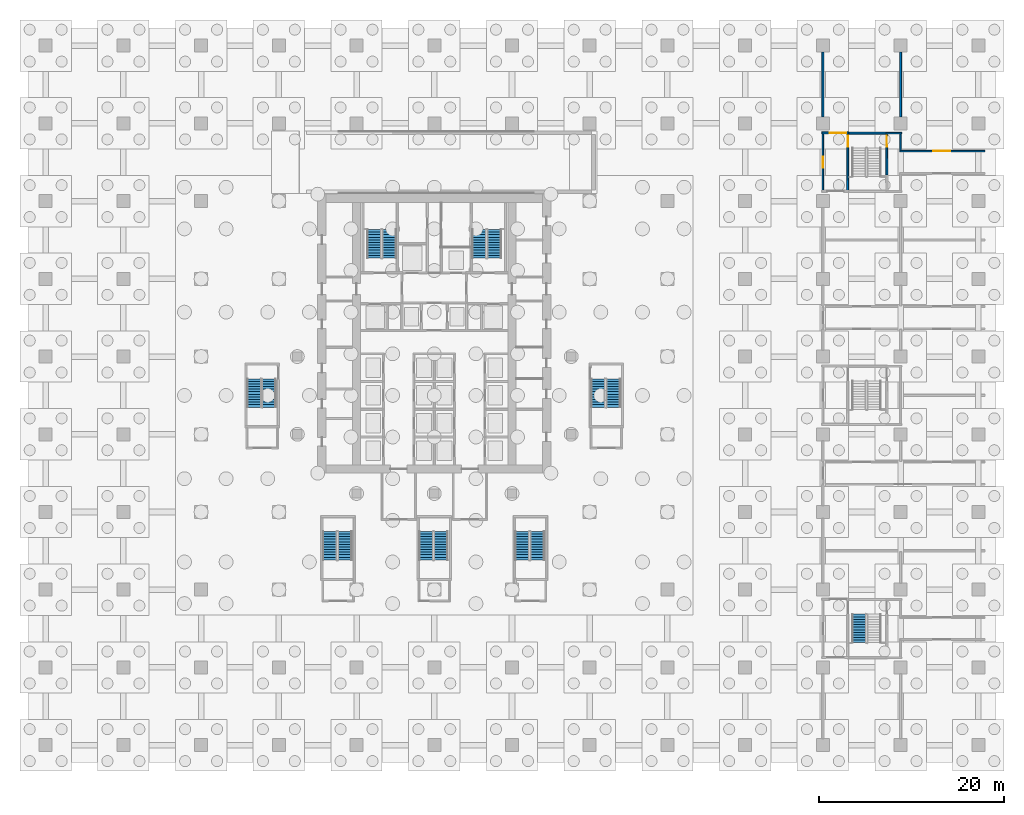
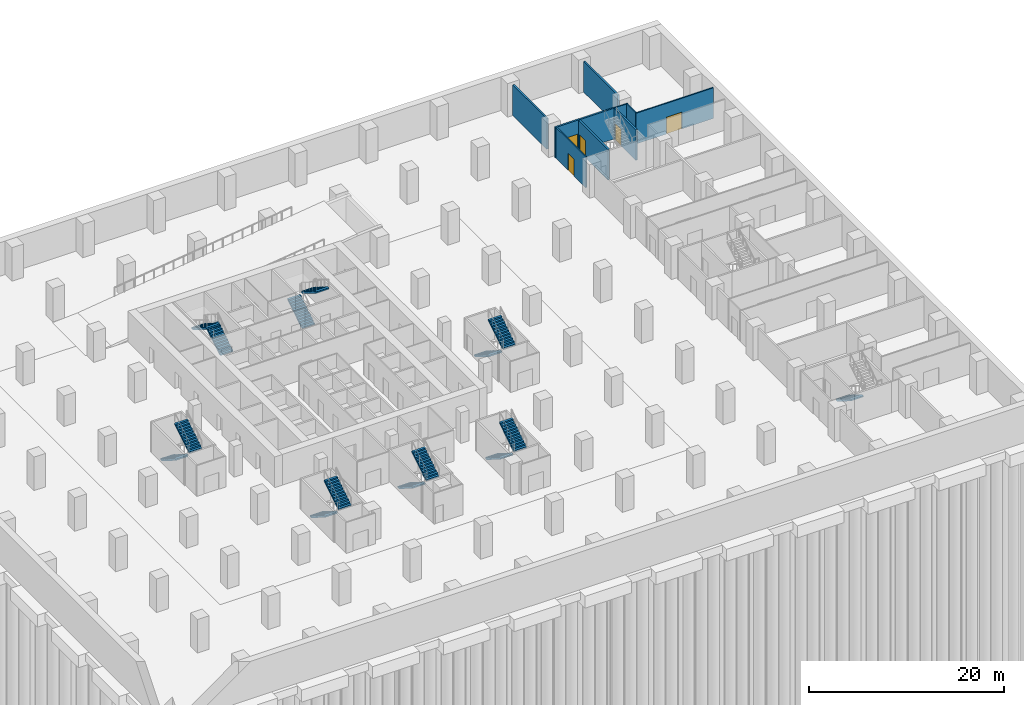
# One storey, part 15 of 22: 15 stair flights, 10 walls, 5 doors, 5 openings, 8 elements without a shape of their own.
"""IFC4 building model written with IfcOpenShell, lengths in metres."""

from ifc_helpers import new_model, si_unit, direction, frame, frame_2d, origin, place, context, subcontext, project, spatial, polyline, rectangle, outline, extrude, material, layer, layer_set, type_object, element, fill, aggregate, save


model = new_model("IFC4")

# Units and contexts
model_context = context("Model", 3, precision=1e-05, world=origin(), true_north=direction((0.0, 1.0)))
body_context = subcontext(model_context, "Body", "Model", "MODEL_VIEW")
ifc_project = project(units=[si_unit("LENGTHUNIT", "METRE"), si_unit("AREAUNIT", "SQUARE_METRE"), si_unit("VOLUMEUNIT", "CUBIC_METRE"), si_unit("PLANEANGLEUNIT", "RADIAN"), si_unit("MASSUNIT", "GRAM", prefix="KILO")], contexts=[model_context])

# Site, building, storey
site_placement = place(None, origin())
site = spatial("IfcSite", under=ifc_project, at=site_placement, CompositionType="ELEMENT")
building_placement = place(site_placement, origin())
building = spatial("IfcBuilding", under=site, at=building_placement, Name="Vermilion Ogive Tower", CompositionType="ELEMENT")
storey_placement = place(building_placement, frame((0.0, 0.0, -8.39990234375)))
storey = spatial("IfcBuildingStorey", under=building, at=storey_placement, Name="B2", CompositionType="ELEMENT", Elevation=-8.39990234375)

# Wall, opening, door
ifc_material_1 = material(Name="Gypsum board partition on steel studs", Category="steel")
ifc_layer_1 = layer(ifc_material_1, 0.14990234375)
ifc_layer_set_1 = layer_set([ifc_layer_1], Name="Partition 150 corridor")
wall_type_1 = type_object("IfcWallType", Name="Partition 150 corridor", PredefinedType="PARTITIONING", material=ifc_layer_set_1)
wall_1_placement = place(storey_placement, frame((50.324951171875, 26.39990234375, 0.0), z_axis=(0.0, 0.0, 1.0), x_axis=(1.0, 0.0, 0.0)))
wall_1 = element("IfcWall", 1, at=wall_1_placement, inside=storey, type_object=wall_type_1, Name="B2-PK-W-W033", PredefinedType="PARTITIONING", context=body_context, shape_type="SweptSolid", body=[
    extrude(rectangle(XDim=9.174072265625, YDim=0.14990234375, at=frame_2d((4.5869140625, 0.0))), origin(), (0.0, 0.0, 1.0), 3.849853515625),
])
opening_1_placement = place(wall_1_placement, frame((3.625, 0.0, 0.0)))
opening_1 = element("IfcOpeningElement", 2, at=opening_1_placement, cuts=wall_1, Name="Opening PK2-29", PredefinedType="OPENING", context=body_context, shape_type="SweptSolid", body=[
    extrude(rectangle(XDim=1.800048828125, YDim=2.10009765625, at=frame_2d((0.89990234375, 1.050048828125))), frame((0.0, 0.0849609375, 0.0), z_axis=(0.0, -1.0, 0.0), x_axis=(1.0, 0.0, 0.0)), (0.0, 0.0, 1.0), 0.169921875),
])
ifc_material_2 = material(Name="Timber door leaf", Category="wood")
door_type_1 = type_object("IfcDoorType", Name="Plant door 1800 x 2100 FD30", OperationType="DOUBLE_DOOR_SINGLE_SWING", PredefinedType="DOOR", material=ifc_material_2)
door_1_placement = place(opening_1_placement, origin())
door_1 = element("IfcDoor", 3, at=door_1_placement, inside=storey, type_object=door_type_1, Name="B2-PK-D-D029", OperationType="DOUBLE_DOOR_SINGLE_SWING", OverallHeight=2.10009765625, OverallWidth=1.800048828125, PredefinedType="DOOR", context=body_context, shape_type="SweptSolid", body=[
    extrude(rectangle(XDim=1.800048828125, YDim=2.10009765625, at=frame_2d((0.89990234375, 1.050048828125))), frame((0.0, 0.02490234375, 0.0), z_axis=(0.0, -1.0, 0.0), x_axis=(1.0, 0.0, 0.0)), (0.0, 0.0, 1.0), 0.050048828125),
])
fill(opening_1, door_1)

# Wall
wall_2_placement = place(storey_placement, frame((48.824951171875, 28.35009765625, 0.0), z_axis=(0.0, 0.0, 1.0), x_axis=(1.0, 0.0, 0.0)))
element("IfcWall", 4, at=wall_2_placement, inside=storey, type_object=wall_type_1, Name="B2-PK-W-W036", PredefinedType="PARTITIONING", context=body_context, shape_type="SweptSolid", body=[
    extrude(rectangle(XDim=1.675048828125, YDim=0.14990234375, at=frame_2d((0.83740234375, 0.0))), origin(), (0.0, 0.0, 1.0), 3.849853515625),
])

# Wall, opening, door
wall_3_placement = place(storey_placement, frame((42.0, 22.125, 0.0), z_axis=(0.0, 0.0, 1.0), x_axis=(0.0, 1.0, 0.0)))
wall_3 = element("IfcWall", 5, at=wall_3_placement, inside=storey, type_object=wall_type_1, Name="B2-PK-W-W060", PredefinedType="PARTITIONING", context=body_context, shape_type="SweptSolid", body=[
    extrude(rectangle(XDim=6.14990234375, YDim=0.14990234375, at=frame_2d((3.074951171875, 0.0))), origin(), (0.0, 0.0, 1.0), 3.849853515625),
])
opening_2_placement = place(wall_3_placement, frame((2.47509765625, 0.0, 0.0)))
opening_2 = element("IfcOpeningElement", 6, at=opening_2_placement, cuts=wall_3, Name="Opening PK2-11", PredefinedType="OPENING", context=body_context, shape_type="SweptSolid", body=[
    extrude(rectangle(XDim=1.199951171875, YDim=2.10009765625, at=frame_2d((0.60009765625, 1.050048828125))), frame((0.0, 0.0849609375, 0.0), z_axis=(0.0, -1.0, 0.0), x_axis=(1.0, 0.0, 0.0)), (0.0, 0.0, 1.0), 0.169921875),
])
ifc_material_3 = material(Name="Timber door leaf", Category="wood")
door_type_2 = type_object("IfcDoorType", Name="Stair door 1200 x 2100 FD60S", OperationType="SINGLE_SWING_LEFT", PredefinedType="DOOR", material=ifc_material_3)
door_2_placement = place(opening_2_placement, origin())
door_2 = element("IfcDoor", 7, at=door_2_placement, inside=storey, type_object=door_type_2, Name="B2-PK-D-D011", OperationType="DOUBLE_DOOR_SINGLE_SWING", OverallHeight=2.10009765625, OverallWidth=1.199951171875, PredefinedType="DOOR", context=body_context, shape_type="SweptSolid", body=[
    extrude(rectangle(XDim=1.199951171875, YDim=2.10009765625, at=frame_2d((0.60009765625, 1.050048828125))), frame((0.0, 0.02490234375, 0.0), z_axis=(0.0, -1.0, 0.0), x_axis=(1.0, 0.0, 0.0)), (0.0, 0.0, 1.0), 0.050048828125),
])
fill(opening_2, door_2)

# Walls
wall_4_placement = place(storey_placement, frame((50.39990234375, 26.47509765625, 0.0), z_axis=(0.0, 0.0, 1.0), x_axis=(0.0, 1.0, 0.0)))
element("IfcWall", 8, at=wall_4_placement, inside=storey, type_object=wall_type_1, Name="B2-PK-W-W077", PredefinedType="PARTITIONING", context=body_context, shape_type="SweptSolid", body=[
    extrude(rectangle(XDim=1.7998046875, YDim=0.14990234375, at=frame_2d((0.89990234375, 0.0))), origin(), (0.0, 0.0, 1.0), 3.849853515625),
])
ifc_material_4 = material(Name="Gypsum board partition on steel studs", Category="steel")
ifc_layer_2 = layer(ifc_material_4, 0.199951171875)
ifc_layer_set_2 = layer_set([ifc_layer_2], Name="Partition 200 party")
wall_type_2 = type_object("IfcWallType", Name="Partition 200 party", PredefinedType="PARTITIONING", material=ifc_layer_set_2)
for number, where, z_axis, x_axis, name in (
    (9, (42.0, 30.10009765625, 0.0), (0.0, 0.0, 1.0), (0.0, 1.0, 0.0), "B2-PK-W-W061a"),
    (10, (50.39990234375, 30.10009765625, 0.0), (0.0, 0.0, 1.0), (0.0, 1.0, 0.0), "B2-PK-W-W078a"),
):
    element("IfcWall", number, at=place(storey_placement, frame(where, z_axis=z_axis, x_axis=x_axis)), inside=storey, type_object=wall_type_2, Name=name, PredefinedType="PARTITIONING", context=body_context, shape_type="SweptSolid", body=[
        extrude(rectangle(XDim=7.0, YDim=0.199951171875, at=frame_2d((3.5, 0.0))), origin(), (0.0, 0.0, 1.0), 3.849853515625),
    ])

# Wall, opening, door
ifc_material_5 = material(Name="Concrete B60", Category="concrete")
ifc_layer_3 = layer(ifc_material_5, 0.199951171875)
ifc_layer_set_3 = layer_set([ifc_layer_3], Name="Stair shaft wall 200 Concrete B60")
wall_type_3 = type_object("IfcWallType", Name="Stair shaft wall 200 Concrete B60", PredefinedType="SOLIDWALL", material=ifc_layer_set_3)
wall_5_placement = place(storey_placement, frame((41.89990234375, 28.375, 0.0), z_axis=(0.0, 0.0, 1.0), x_axis=(1.0, 0.0, 0.0)))
wall_5 = element("IfcWall", 11, at=wall_5_placement, inside=storey, type_object=wall_type_3, Name="B2-PK-W-W034", PredefinedType="SOLIDWALL", context=body_context, shape_type="SweptSolid", body=[
    extrude(rectangle(XDim=2.875, YDim=0.199951171875, at=frame_2d((1.4375, 0.0))), origin(), (0.0, 0.0, 1.0), 3.849853515625),
])
opening_3_placement = place(wall_5_placement, frame((0.85009765625, 0.0, 0.0)))
opening_3 = element("IfcOpeningElement", 12, at=opening_3_placement, cuts=wall_5, Name="Opening PK2-30", PredefinedType="OPENING", context=body_context, shape_type="SweptSolid", body=[
    extrude(rectangle(XDim=1.800048828125, YDim=2.10009765625, at=frame_2d((0.89990234375, 1.050048828125))), frame((0.0, 0.10986328125, 0.0), z_axis=(0.0, -1.0, 0.0), x_axis=(1.0, 0.0, 0.0)), (0.0, 0.0, 1.0), 0.219970703125),
])
door_3_placement = place(opening_3_placement, origin())
door_3 = element("IfcDoor", 13, at=door_3_placement, inside=storey, type_object=door_type_1, Name="B2-PK-D-D030", OperationType="DOUBLE_DOOR_SINGLE_SWING", OverallHeight=2.10009765625, OverallWidth=1.800048828125, PredefinedType="DOOR", context=body_context, shape_type="SweptSolid", body=[
    extrude(rectangle(XDim=1.800048828125, YDim=2.10009765625, at=frame_2d((0.89990234375, 1.050048828125))), frame((0.0, 0.02490234375, 0.0), z_axis=(0.0, -1.0, 0.0), x_axis=(1.0, 0.0, 0.0)), (0.0, 0.0, 1.0), 0.050048828125),
])
fill(opening_3, door_3)

# Wall
wall_6_placement = place(storey_placement, frame((44.625, 28.35009765625, 0.0), z_axis=(0.0, 0.0, 1.0), x_axis=(1.0, 0.0, 0.0)))
element("IfcWall", 14, at=wall_6_placement, inside=storey, type_object=wall_type_3, Name="B2-PK-W-W035", PredefinedType="SOLIDWALL", context=body_context, shape_type="SweptSolid", body=[
    extrude(rectangle(XDim=4.35009765625, YDim=0.199951171875, at=frame_2d((2.175048828125, 0.0))), origin(), (0.0, 0.0, 1.0), 3.849853515625),
])

# Wall, opening, door
wall_7_placement = place(storey_placement, frame((44.675048828125, 22.14990234375, 0.0), z_axis=(0.0, 0.0, 1.0), x_axis=(0.004098985015, 0.999991599126, 0.0)))
wall_7 = element("IfcWall", 15, at=wall_7_placement, inside=storey, type_object=wall_type_3, Name="B2-PK-W-W064", PredefinedType="SOLIDWALL", context=body_context, shape_type="SweptSolid", body=[
    extrude(rectangle(XDim=6.0751953125, YDim=0.199951171875, at=frame_2d((3.03759765625, 0.0))), origin(), (0.0, 0.0, 1.0), 3.849853515625),
])
opening_4_placement = place(wall_7_placement, frame((4.7001953125, 0.0, 0.0)))
opening_4 = element("IfcOpeningElement", 16, at=opening_4_placement, cuts=wall_7, Name="Opening PK2-12", PredefinedType="OPENING", context=body_context, shape_type="SweptSolid", body=[
    extrude(rectangle(XDim=1.199951171875, YDim=2.10009765625, at=frame_2d((0.60009765625, 1.050048828125))), frame((0.0, 0.10986328125, 0.0), z_axis=(0.0, -1.0, 0.0), x_axis=(1.0, 0.0, 0.0)), (0.0, 0.0, 1.0), 0.219970703125),
])
door_4_placement = place(opening_4_placement, origin())
door_4 = element("IfcDoor", 17, at=door_4_placement, inside=storey, type_object=door_type_2, Name="B2-PK-D-D012", OperationType="DOUBLE_DOOR_SINGLE_SWING", OverallHeight=2.10009765625, OverallWidth=1.199951171875, PredefinedType="DOOR", context=body_context, shape_type="SweptSolid", body=[
    extrude(rectangle(XDim=1.199951171875, YDim=2.10009765625, at=frame_2d((0.60009765625, 1.050048828125))), frame((0.0, 0.02490234375, 0.0), z_axis=(0.0, -1.0, 0.0), x_axis=(1.0, 0.0, 0.0)), (0.0, 0.0, 1.0), 0.050048828125),
])
fill(opening_4, door_4)

wall_8_placement = place(storey_placement, frame((48.918212890625, 23.7998046875, 0.0), z_axis=(0.0, 0.0, 1.0), x_axis=(-0.004091618778, 0.999991629293, 0.0)))
wall_8 = element("IfcWall", 18, at=wall_8_placement, inside=storey, type_object=wall_type_3, Name="B2-PK-W-W067", PredefinedType="SOLIDWALL", context=body_context, shape_type="SweptSolid", body=[
    extrude(rectangle(XDim=4.47509765625, YDim=0.199951171875, at=frame_2d((2.237548828125, 0.0))), origin(), (0.0, 0.0, 1.0), 3.849853515625),
])
opening_5_placement = place(wall_8_placement, frame((3.05029296875, 0.0, 0.0)))
opening_5 = element("IfcOpeningElement", 19, at=opening_5_placement, cuts=wall_8, Name="Opening PK2-13", PredefinedType="OPENING", context=body_context, shape_type="SweptSolid", body=[
    extrude(rectangle(XDim=1.199951171875, YDim=2.10009765625, at=frame_2d((0.60009765625, 1.050048828125))), frame((0.0, 0.10986328125, 0.0), z_axis=(0.0, -1.0, 0.0), x_axis=(1.0, 0.0, 0.0)), (0.0, 0.0, 1.0), 0.219970703125),
])
door_5_placement = place(opening_5_placement, origin())
door_5 = element("IfcDoor", 20, at=door_5_placement, inside=storey, type_object=door_type_2, Name="B2-PK-D-D013", OperationType="DOUBLE_DOOR_SINGLE_SWING", OverallHeight=2.10009765625, OverallWidth=1.199951171875, PredefinedType="DOOR", context=body_context, shape_type="SweptSolid", body=[
    extrude(rectangle(XDim=1.199951171875, YDim=2.10009765625, at=frame_2d((0.60009765625, 1.050048828125))), frame((0.0, 0.02490234375, 0.0), z_axis=(0.0, -1.0, 0.0), x_axis=(1.0, 0.0, 0.0)), (0.0, 0.0, 1.0), 0.050048828125),
])
fill(opening_5, door_5)

# Stair, stair flights
ifc_material_6 = material(Name="Concrete B40", Category="concrete")
stair_type = type_object("IfcStairType", Name="Exit stair 1500", PredefinedType="HALF_TURN_STAIR", material=ifc_material_6)
stair_1_placement = place(storey_placement, origin())
stair_1 = element("IfcStair", 21, at=stair_1_placement, inside=storey, type_object=stair_type, Name="B2 Exit Stair ST1", PredefinedType="HALF_TURN_STAIR")
ifc_material_7 = material(Name="Concrete B40", Category="concrete")
stair_flight_type = type_object("IfcStairFlightType", Name="Stair flight 1500", PredefinedType="STRAIGHT", material=ifc_material_7)
stair_flight_1_placement = place(storey_placement, frame((-4.85009765625, 14.85009765625, 0.0), z_axis=(0.0, 0.0, 1.0), x_axis=(0.0, 1.0, 0.0)))
stair_flight_1 = element("IfcStairFlight", 22, at=stair_flight_1_placement, type_object=stair_flight_type, Name="ST1 flight 1", NumberOfRisers=12, NumberOfTreads=11, PredefinedType="STRAIGHT", RiserHeight=0.175, TreadLength=0.28, context=body_context, shape_type="SweptSolid", body=[
    extrude(outline(polyline([(0.0, 0.0), (0.0, 0.175048828125), (0.280029296875, 0.175048828125), (0.280029296875, 0.35009765625), (0.56005859375, 0.35009765625), (0.56005859375, 0.52490234375), (0.840087890625, 0.52490234375), (0.840087890625, 0.699951171875), (1.1201171875, 0.699951171875), (1.1201171875, 0.875), (1.39990234375, 0.875), (1.39990234375, 1.050048828125), (1.679931640625, 1.050048828125), (1.679931640625, 1.22509765625), (1.9599609375, 1.22509765625), (1.9599609375, 1.39990234375), (2.239990234375, 1.39990234375), (2.239990234375, 1.574951171875), (2.52001953125, 1.574951171875), (2.52001953125, 1.75), (2.800048828125, 1.75), (2.800048828125, 1.925048828125), (3.080078125, 1.925048828125), (3.080078125, 2.10009765625), (3.080078125, 1.748291015625), (0.28271484375, 0.0), (0.0, 0.0)])), frame((0.0, 0.75, 0.0), z_axis=(0.0, -1.0, 0.0), x_axis=(1.0, 0.0, 0.0)), (0.0, 0.0, 1.0), 1.5),
])
stair_flight_2_placement = place(storey_placement, frame((-6.5, 17.929931640625, 2.099853515625), z_axis=(0.0, 0.0, 1.0), x_axis=(0.0, -1.0, 0.0)))
stair_flight_2 = element("IfcStairFlight", 23, at=stair_flight_2_placement, type_object=stair_flight_type, Name="ST1 flight 2", NumberOfRisers=12, NumberOfTreads=11, PredefinedType="STRAIGHT", RiserHeight=0.175, TreadLength=0.28, context=body_context, shape_type="SweptSolid", body=[
    extrude(outline(polyline([(0.0, 0.0), (0.0, 0.175048828125), (0.280029296875, 0.175048828125), (0.280029296875, 0.35009765625), (0.56005859375, 0.35009765625), (0.56005859375, 0.52490234375), (0.840087890625, 0.52490234375), (0.840087890625, 0.699951171875), (1.1201171875, 0.699951171875), (1.1201171875, 0.875), (1.39990234375, 0.875), (1.39990234375, 1.050048828125), (1.679931640625, 1.050048828125), (1.679931640625, 1.22509765625), (1.9599609375, 1.22509765625), (1.9599609375, 1.39990234375), (2.239990234375, 1.39990234375), (2.239990234375, 1.574951171875), (2.52001953125, 1.574951171875), (2.52001953125, 1.75), (2.800048828125, 1.75), (2.800048828125, 1.925048828125), (3.080078125, 1.925048828125), (3.080078125, 2.10009765625), (3.080078125, 1.748291015625), (0.28271484375, 0.0), (0.0, 0.0)])), frame((0.0, 0.75, 0.0), z_axis=(0.0, -1.0, 0.0), x_axis=(1.0, 0.0, 0.0)), (0.0, 0.0, 1.0), 1.5),
])
aggregate(stair_1, [stair_flight_1, stair_flight_2])

stair_2_placement = place(storey_placement, origin())
stair_2 = element("IfcStair", 24, at=stair_2_placement, inside=storey, type_object=stair_type, Name="B2 Exit Stair ST2", PredefinedType="HALF_TURN_STAIR")
stair_flight_3_placement = place(storey_placement, frame((4.85009765625, 14.85009765625, 0.0), z_axis=(0.0, 0.0, 1.0), x_axis=(0.0, 1.0, 0.0)))
stair_flight_3 = element("IfcStairFlight", 25, at=stair_flight_3_placement, type_object=stair_flight_type, Name="ST2 flight 1", NumberOfRisers=12, NumberOfTreads=11, PredefinedType="STRAIGHT", RiserHeight=0.175, TreadLength=0.28, context=body_context, shape_type="SweptSolid", body=[
    extrude(outline(polyline([(0.0, 0.0), (0.0, 0.175048828125), (0.280029296875, 0.175048828125), (0.280029296875, 0.35009765625), (0.56005859375, 0.35009765625), (0.56005859375, 0.52490234375), (0.840087890625, 0.52490234375), (0.840087890625, 0.699951171875), (1.1201171875, 0.699951171875), (1.1201171875, 0.875), (1.39990234375, 0.875), (1.39990234375, 1.050048828125), (1.679931640625, 1.050048828125), (1.679931640625, 1.22509765625), (1.9599609375, 1.22509765625), (1.9599609375, 1.39990234375), (2.239990234375, 1.39990234375), (2.239990234375, 1.574951171875), (2.52001953125, 1.574951171875), (2.52001953125, 1.75), (2.800048828125, 1.75), (2.800048828125, 1.925048828125), (3.080078125, 1.925048828125), (3.080078125, 2.10009765625), (3.080078125, 1.748291015625), (0.28271484375, 0.0), (0.0, 0.0)])), frame((0.0, 0.75, 0.0), z_axis=(0.0, -1.0, 0.0), x_axis=(1.0, 0.0, 0.0)), (0.0, 0.0, 1.0), 1.5),
])
stair_flight_4_placement = place(storey_placement, frame((6.5, 17.929931640625, 2.099853515625), z_axis=(0.0, 0.0, 1.0), x_axis=(0.0, -1.0, 0.0)))
stair_flight_4 = element("IfcStairFlight", 26, at=stair_flight_4_placement, type_object=stair_flight_type, Name="ST2 flight 2", NumberOfRisers=12, NumberOfTreads=11, PredefinedType="STRAIGHT", RiserHeight=0.175, TreadLength=0.28, context=body_context, shape_type="SweptSolid", body=[
    extrude(outline(polyline([(0.0, 0.0), (0.0, 0.175048828125), (0.280029296875, 0.175048828125), (0.280029296875, 0.35009765625), (0.56005859375, 0.35009765625), (0.56005859375, 0.52490234375), (0.840087890625, 0.52490234375), (0.840087890625, 0.699951171875), (1.1201171875, 0.699951171875), (1.1201171875, 0.875), (1.39990234375, 0.875), (1.39990234375, 1.050048828125), (1.679931640625, 1.050048828125), (1.679931640625, 1.22509765625), (1.9599609375, 1.22509765625), (1.9599609375, 1.39990234375), (2.239990234375, 1.39990234375), (2.239990234375, 1.574951171875), (2.52001953125, 1.574951171875), (2.52001953125, 1.75), (2.800048828125, 1.75), (2.800048828125, 1.925048828125), (3.080078125, 1.925048828125), (3.080078125, 2.10009765625), (3.080078125, 1.748291015625), (0.28271484375, 0.0), (0.0, 0.0)])), frame((0.0, 0.75, 0.0), z_axis=(0.0, -1.0, 0.0), x_axis=(1.0, 0.0, 0.0)), (0.0, 0.0, 1.0), 1.5),
])
aggregate(stair_2, [stair_flight_3, stair_flight_4])

stair_3_placement = place(storey_placement, origin())
stair_3 = element("IfcStair", 27, at=stair_3_placement, inside=storey, type_object=stair_type, Name="B2 Exit Stair ST3", PredefinedType="HALF_TURN_STAIR")
stair_flight_5_placement = place(storey_placement, frame((-11.300048828125, -14.699951171875, 0.0), z_axis=(0.0, 0.0, 1.0), x_axis=(0.0, -1.0, 0.0)))
stair_flight_5 = element("IfcStairFlight", 28, at=stair_flight_5_placement, type_object=stair_flight_type, Name="ST3 flight 1", NumberOfRisers=12, NumberOfTreads=11, PredefinedType="STRAIGHT", RiserHeight=0.175, TreadLength=0.28, context=body_context, shape_type="SweptSolid", body=[
    extrude(outline(polyline([(0.0, 0.0), (0.0, 0.175048828125), (0.280029296875, 0.175048828125), (0.280029296875, 0.35009765625), (0.56005859375, 0.35009765625), (0.56005859375, 0.52490234375), (0.840087890625, 0.52490234375), (0.840087890625, 0.699951171875), (1.1201171875, 0.699951171875), (1.1201171875, 0.875), (1.39990234375, 0.875), (1.39990234375, 1.050048828125), (1.679931640625, 1.050048828125), (1.679931640625, 1.22509765625), (1.9599609375, 1.22509765625), (1.9599609375, 1.39990234375), (2.239990234375, 1.39990234375), (2.239990234375, 1.574951171875), (2.52001953125, 1.574951171875), (2.52001953125, 1.75), (2.800048828125, 1.75), (2.800048828125, 1.925048828125), (3.080078125, 1.925048828125), (3.080078125, 2.10009765625), (3.080078125, 1.748291015625), (0.28271484375, 0.0), (0.0, 0.0)])), frame((0.0, 0.75, 0.0), z_axis=(0.0, -1.0, 0.0), x_axis=(1.0, 0.0, 0.0)), (0.0, 0.0, 1.0), 1.5),
])
stair_flight_6_placement = place(storey_placement, frame((-9.64990234375, -17.780029296875, 2.099853515625), z_axis=(0.0, 0.0, 1.0), x_axis=(0.0, 1.0, 0.0)))
stair_flight_6 = element("IfcStairFlight", 29, at=stair_flight_6_placement, type_object=stair_flight_type, Name="ST3 flight 2", NumberOfRisers=12, NumberOfTreads=11, PredefinedType="STRAIGHT", RiserHeight=0.175, TreadLength=0.28, context=body_context, shape_type="SweptSolid", body=[
    extrude(outline(polyline([(0.0, 0.0), (0.0, 0.175048828125), (0.280029296875, 0.175048828125), (0.280029296875, 0.35009765625), (0.56005859375, 0.35009765625), (0.56005859375, 0.52490234375), (0.840087890625, 0.52490234375), (0.840087890625, 0.699951171875), (1.1201171875, 0.699951171875), (1.1201171875, 0.875), (1.39990234375, 0.875), (1.39990234375, 1.050048828125), (1.679931640625, 1.050048828125), (1.679931640625, 1.22509765625), (1.9599609375, 1.22509765625), (1.9599609375, 1.39990234375), (2.239990234375, 1.39990234375), (2.239990234375, 1.574951171875), (2.52001953125, 1.574951171875), (2.52001953125, 1.75), (2.800048828125, 1.75), (2.800048828125, 1.925048828125), (3.080078125, 1.925048828125), (3.080078125, 2.10009765625), (3.080078125, 1.748291015625), (0.28271484375, 0.0), (0.0, 0.0)])), frame((0.0, 0.75, 0.0), z_axis=(0.0, -1.0, 0.0), x_axis=(1.0, 0.0, 0.0)), (0.0, 0.0, 1.0), 1.5),
])
aggregate(stair_3, [stair_flight_5, stair_flight_6])

stair_4_placement = place(storey_placement, origin())
stair_4 = element("IfcStair", 30, at=stair_4_placement, inside=storey, type_object=stair_type, Name="B2 Exit Stair ST4", PredefinedType="HALF_TURN_STAIR")
stair_flight_7_placement = place(storey_placement, frame((-0.89990234375, -14.699951171875, 0.0), z_axis=(0.0, 0.0, 1.0), x_axis=(0.0, -1.0, 0.0)))
stair_flight_7 = element("IfcStairFlight", 31, at=stair_flight_7_placement, type_object=stair_flight_type, Name="ST4 flight 1", NumberOfRisers=12, NumberOfTreads=11, PredefinedType="STRAIGHT", RiserHeight=0.175, TreadLength=0.28, context=body_context, shape_type="SweptSolid", body=[
    extrude(outline(polyline([(0.0, 0.0), (0.0, 0.175048828125), (0.280029296875, 0.175048828125), (0.280029296875, 0.35009765625), (0.56005859375, 0.35009765625), (0.56005859375, 0.52490234375), (0.840087890625, 0.52490234375), (0.840087890625, 0.699951171875), (1.1201171875, 0.699951171875), (1.1201171875, 0.875), (1.39990234375, 0.875), (1.39990234375, 1.050048828125), (1.679931640625, 1.050048828125), (1.679931640625, 1.22509765625), (1.9599609375, 1.22509765625), (1.9599609375, 1.39990234375), (2.239990234375, 1.39990234375), (2.239990234375, 1.574951171875), (2.52001953125, 1.574951171875), (2.52001953125, 1.75), (2.800048828125, 1.75), (2.800048828125, 1.925048828125), (3.080078125, 1.925048828125), (3.080078125, 2.10009765625), (3.080078125, 1.748291015625), (0.28271484375, 0.0), (0.0, 0.0)])), frame((0.0, 0.75, 0.0), z_axis=(0.0, -1.0, 0.0), x_axis=(1.0, 0.0, 0.0)), (0.0, 0.0, 1.0), 1.5),
])
stair_flight_8_placement = place(storey_placement, frame((0.75, -17.780029296875, 2.099853515625), z_axis=(0.0, 0.0, 1.0), x_axis=(0.0, 1.0, 0.0)))
stair_flight_8 = element("IfcStairFlight", 32, at=stair_flight_8_placement, type_object=stair_flight_type, Name="ST4 flight 2", NumberOfRisers=12, NumberOfTreads=11, PredefinedType="STRAIGHT", RiserHeight=0.175, TreadLength=0.28, context=body_context, shape_type="SweptSolid", body=[
    extrude(outline(polyline([(0.0, 0.0), (0.0, 0.175048828125), (0.280029296875, 0.175048828125), (0.280029296875, 0.35009765625), (0.56005859375, 0.35009765625), (0.56005859375, 0.52490234375), (0.840087890625, 0.52490234375), (0.840087890625, 0.699951171875), (1.1201171875, 0.699951171875), (1.1201171875, 0.875), (1.39990234375, 0.875), (1.39990234375, 1.050048828125), (1.679931640625, 1.050048828125), (1.679931640625, 1.22509765625), (1.9599609375, 1.22509765625), (1.9599609375, 1.39990234375), (2.239990234375, 1.39990234375), (2.239990234375, 1.574951171875), (2.52001953125, 1.574951171875), (2.52001953125, 1.75), (2.800048828125, 1.75), (2.800048828125, 1.925048828125), (3.080078125, 1.925048828125), (3.080078125, 2.10009765625), (3.080078125, 1.748291015625), (0.28271484375, 0.0), (0.0, 0.0)])), frame((0.0, 0.75, 0.0), z_axis=(0.0, -1.0, 0.0), x_axis=(1.0, 0.0, 0.0)), (0.0, 0.0, 1.0), 1.5),
])
aggregate(stair_4, [stair_flight_7, stair_flight_8])

stair_5_placement = place(storey_placement, origin())
stair_5 = element("IfcStair", 33, at=stair_5_placement, inside=storey, type_object=stair_type, Name="B2 Exit Stair ST5", PredefinedType="HALF_TURN_STAIR")
stair_flight_9_placement = place(storey_placement, frame((9.5, -14.699951171875, 0.0), z_axis=(0.0, 0.0, 1.0), x_axis=(0.0, -1.0, 0.0)))
stair_flight_9 = element("IfcStairFlight", 34, at=stair_flight_9_placement, type_object=stair_flight_type, Name="ST5 flight 1", NumberOfRisers=12, NumberOfTreads=11, PredefinedType="STRAIGHT", RiserHeight=0.175, TreadLength=0.28, context=body_context, shape_type="SweptSolid", body=[
    extrude(outline(polyline([(0.0, 0.0), (0.0, 0.175048828125), (0.280029296875, 0.175048828125), (0.280029296875, 0.35009765625), (0.56005859375, 0.35009765625), (0.56005859375, 0.52490234375), (0.840087890625, 0.52490234375), (0.840087890625, 0.699951171875), (1.1201171875, 0.699951171875), (1.1201171875, 0.875), (1.39990234375, 0.875), (1.39990234375, 1.050048828125), (1.679931640625, 1.050048828125), (1.679931640625, 1.22509765625), (1.9599609375, 1.22509765625), (1.9599609375, 1.39990234375), (2.239990234375, 1.39990234375), (2.239990234375, 1.574951171875), (2.52001953125, 1.574951171875), (2.52001953125, 1.75), (2.800048828125, 1.75), (2.800048828125, 1.925048828125), (3.080078125, 1.925048828125), (3.080078125, 2.10009765625), (3.080078125, 1.748291015625), (0.28271484375, 0.0), (0.0, 0.0)])), frame((0.0, 0.75, 0.0), z_axis=(0.0, -1.0, 0.0), x_axis=(1.0, 0.0, 0.0)), (0.0, 0.0, 1.0), 1.5),
])
stair_flight_10_placement = place(storey_placement, frame((11.14990234375, -17.780029296875, 2.099853515625), z_axis=(0.0, 0.0, 1.0), x_axis=(0.0, 1.0, 0.0)))
stair_flight_10 = element("IfcStairFlight", 35, at=stair_flight_10_placement, type_object=stair_flight_type, Name="ST5 flight 2", NumberOfRisers=12, NumberOfTreads=11, PredefinedType="STRAIGHT", RiserHeight=0.175, TreadLength=0.28, context=body_context, shape_type="SweptSolid", body=[
    extrude(outline(polyline([(0.0, 0.0), (0.0, 0.175048828125), (0.280029296875, 0.175048828125), (0.280029296875, 0.35009765625), (0.56005859375, 0.35009765625), (0.56005859375, 0.52490234375), (0.840087890625, 0.52490234375), (0.840087890625, 0.699951171875), (1.1201171875, 0.699951171875), (1.1201171875, 0.875), (1.39990234375, 0.875), (1.39990234375, 1.050048828125), (1.679931640625, 1.050048828125), (1.679931640625, 1.22509765625), (1.9599609375, 1.22509765625), (1.9599609375, 1.39990234375), (2.239990234375, 1.39990234375), (2.239990234375, 1.574951171875), (2.52001953125, 1.574951171875), (2.52001953125, 1.75), (2.800048828125, 1.75), (2.800048828125, 1.925048828125), (3.080078125, 1.925048828125), (3.080078125, 2.10009765625), (3.080078125, 1.748291015625), (0.28271484375, 0.0), (0.0, 0.0)])), frame((0.0, 0.75, 0.0), z_axis=(0.0, -1.0, 0.0), x_axis=(1.0, 0.0, 0.0)), (0.0, 0.0, 1.0), 1.5),
])
aggregate(stair_5, [stair_flight_9, stair_flight_10])

stair_6_placement = place(storey_placement, origin())
stair_6 = element("IfcStair", 36, at=stair_6_placement, inside=storey, type_object=stair_type, Name="B2 Exit Stair ST8", PredefinedType="HALF_TURN_STAIR")
stair_flight_11_placement = place(storey_placement, frame((17.699951171875, 1.800048828125, 0.0), z_axis=(0.0, 0.0, 1.0), x_axis=(0.0, -1.0, 0.0)))
stair_flight_11 = element("IfcStairFlight", 37, at=stair_flight_11_placement, type_object=stair_flight_type, Name="ST8 flight 1", NumberOfRisers=12, NumberOfTreads=11, PredefinedType="STRAIGHT", RiserHeight=0.175, TreadLength=0.28, context=body_context, shape_type="SweptSolid", body=[
    extrude(outline(polyline([(0.0, 0.0), (0.0, 0.175048828125), (0.280029296875, 0.175048828125), (0.280029296875, 0.35009765625), (0.56005859375, 0.35009765625), (0.56005859375, 0.52490234375), (0.840087890625, 0.52490234375), (0.840087890625, 0.699951171875), (1.1201171875, 0.699951171875), (1.1201171875, 0.875), (1.39990234375, 0.875), (1.39990234375, 1.050048828125), (1.679931640625, 1.050048828125), (1.679931640625, 1.22509765625), (1.9599609375, 1.22509765625), (1.9599609375, 1.39990234375), (2.239990234375, 1.39990234375), (2.239990234375, 1.574951171875), (2.52001953125, 1.574951171875), (2.52001953125, 1.75), (2.800048828125, 1.75), (2.800048828125, 1.925048828125), (3.080078125, 1.925048828125), (3.080078125, 2.10009765625), (3.080078125, 1.748291015625), (0.28271484375, 0.0), (0.0, 0.0)])), frame((0.0, 0.75, 0.0), z_axis=(0.0, -1.0, 0.0), x_axis=(1.0, 0.0, 0.0)), (0.0, 0.0, 1.0), 1.5),
])
stair_flight_12_placement = place(storey_placement, frame((19.35009765625, -1.280029296875, 2.099853515625), z_axis=(0.0, 0.0, 1.0), x_axis=(0.0, 1.0, 0.0)))
stair_flight_12 = element("IfcStairFlight", 38, at=stair_flight_12_placement, type_object=stair_flight_type, Name="ST8 flight 2", NumberOfRisers=12, NumberOfTreads=11, PredefinedType="STRAIGHT", RiserHeight=0.175, TreadLength=0.28, context=body_context, shape_type="SweptSolid", body=[
    extrude(outline(polyline([(0.0, 0.0), (0.0, 0.175048828125), (0.280029296875, 0.175048828125), (0.280029296875, 0.35009765625), (0.56005859375, 0.35009765625), (0.56005859375, 0.52490234375), (0.840087890625, 0.52490234375), (0.840087890625, 0.699951171875), (1.1201171875, 0.699951171875), (1.1201171875, 0.875), (1.39990234375, 0.875), (1.39990234375, 1.050048828125), (1.679931640625, 1.050048828125), (1.679931640625, 1.22509765625), (1.9599609375, 1.22509765625), (1.9599609375, 1.39990234375), (2.239990234375, 1.39990234375), (2.239990234375, 1.574951171875), (2.52001953125, 1.574951171875), (2.52001953125, 1.75), (2.800048828125, 1.75), (2.800048828125, 1.925048828125), (3.080078125, 1.925048828125), (3.080078125, 2.10009765625), (3.080078125, 1.748291015625), (0.28271484375, 0.0), (0.0, 0.0)])), frame((0.0, 0.75, 0.0), z_axis=(0.0, -1.0, 0.0), x_axis=(1.0, 0.0, 0.0)), (0.0, 0.0, 1.0), 1.5),
])
aggregate(stair_6, [stair_flight_11, stair_flight_12])

stair_7_placement = place(storey_placement, origin())
stair_7 = element("IfcStair", 39, at=stair_7_placement, inside=storey, type_object=stair_type, Name="B2 Exit Stair ST9", PredefinedType="HALF_TURN_STAIR")
stair_flight_13_placement = place(storey_placement, frame((-19.5, 1.800048828125, 0.0), z_axis=(0.0, 0.0, 1.0), x_axis=(0.0, -1.0, 0.0)))
stair_flight_13 = element("IfcStairFlight", 40, at=stair_flight_13_placement, type_object=stair_flight_type, Name="ST9 flight 1", NumberOfRisers=12, NumberOfTreads=11, PredefinedType="STRAIGHT", RiserHeight=0.175, TreadLength=0.28, context=body_context, shape_type="SweptSolid", body=[
    extrude(outline(polyline([(0.0, 0.0), (0.0, 0.175048828125), (0.280029296875, 0.175048828125), (0.280029296875, 0.35009765625), (0.56005859375, 0.35009765625), (0.56005859375, 0.52490234375), (0.840087890625, 0.52490234375), (0.840087890625, 0.699951171875), (1.1201171875, 0.699951171875), (1.1201171875, 0.875), (1.39990234375, 0.875), (1.39990234375, 1.050048828125), (1.679931640625, 1.050048828125), (1.679931640625, 1.22509765625), (1.9599609375, 1.22509765625), (1.9599609375, 1.39990234375), (2.239990234375, 1.39990234375), (2.239990234375, 1.574951171875), (2.52001953125, 1.574951171875), (2.52001953125, 1.75), (2.800048828125, 1.75), (2.800048828125, 1.925048828125), (3.080078125, 1.925048828125), (3.080078125, 2.10009765625), (3.080078125, 1.748291015625), (0.28271484375, 0.0), (0.0, 0.0)])), frame((0.0, 0.75, 0.0), z_axis=(0.0, -1.0, 0.0), x_axis=(1.0, 0.0, 0.0)), (0.0, 0.0, 1.0), 1.5),
])
stair_flight_14_placement = place(storey_placement, frame((-17.85009765625, -1.280029296875, 2.099853515625), z_axis=(0.0, 0.0, 1.0), x_axis=(0.0, 1.0, 0.0)))
stair_flight_14 = element("IfcStairFlight", 41, at=stair_flight_14_placement, type_object=stair_flight_type, Name="ST9 flight 2", NumberOfRisers=12, NumberOfTreads=11, PredefinedType="STRAIGHT", RiserHeight=0.175, TreadLength=0.28, context=body_context, shape_type="SweptSolid", body=[
    extrude(outline(polyline([(0.0, 0.0), (0.0, 0.175048828125), (0.280029296875, 0.175048828125), (0.280029296875, 0.35009765625), (0.56005859375, 0.35009765625), (0.56005859375, 0.52490234375), (0.840087890625, 0.52490234375), (0.840087890625, 0.699951171875), (1.1201171875, 0.699951171875), (1.1201171875, 0.875), (1.39990234375, 0.875), (1.39990234375, 1.050048828125), (1.679931640625, 1.050048828125), (1.679931640625, 1.22509765625), (1.9599609375, 1.22509765625), (1.9599609375, 1.39990234375), (2.239990234375, 1.39990234375), (2.239990234375, 1.574951171875), (2.52001953125, 1.574951171875), (2.52001953125, 1.75), (2.800048828125, 1.75), (2.800048828125, 1.925048828125), (3.080078125, 1.925048828125), (3.080078125, 2.10009765625), (3.080078125, 1.748291015625), (0.28271484375, 0.0), (0.0, 0.0)])), frame((0.0, 0.75, 0.0), z_axis=(0.0, -1.0, 0.0), x_axis=(1.0, 0.0, 0.0)), (0.0, 0.0, 1.0), 1.5),
])
aggregate(stair_7, [stair_flight_13, stair_flight_14])

# Stair, stair flight
stair_8_placement = place(storey_placement, origin())
stair_8 = element("IfcStair", 42, at=stair_8_placement, inside=storey, type_object=stair_type, Name="B2 Exit Stair PES", PredefinedType="HALF_TURN_STAIR")
stair_flight_15_placement = place(storey_placement, frame((45.89990234375, -23.64990234375, 0.0), z_axis=(0.0, 0.0, 1.0), x_axis=(0.0, -1.0, 0.0)))
stair_flight_15 = element("IfcStairFlight", 43, at=stair_flight_15_placement, type_object=stair_flight_type, Name="PES flight 1", NumberOfRisers=12, NumberOfTreads=11, PredefinedType="STRAIGHT", RiserHeight=0.175, TreadLength=0.28, context=body_context, shape_type="SweptSolid", body=[
    extrude(outline(polyline([(0.0, 0.0), (0.0, 0.175048828125), (0.280029296875, 0.175048828125), (0.280029296875, 0.35009765625), (0.56005859375, 0.35009765625), (0.56005859375, 0.52490234375), (0.840087890625, 0.52490234375), (0.840087890625, 0.699951171875), (1.1201171875, 0.699951171875), (1.1201171875, 0.875), (1.39990234375, 0.875), (1.39990234375, 1.050048828125), (1.679931640625, 1.050048828125), (1.679931640625, 1.22509765625), (1.9599609375, 1.22509765625), (1.9599609375, 1.39990234375), (2.239990234375, 1.39990234375), (2.239990234375, 1.574951171875), (2.52001953125, 1.574951171875), (2.52001953125, 1.75), (2.800048828125, 1.75), (2.800048828125, 1.925048828125), (3.080078125, 1.925048828125), (3.080078125, 2.10009765625), (3.080078125, 1.748291015625), (0.28271484375, 0.0), (0.0, 0.0)])), frame((0.0, 0.75, 0.0), z_axis=(0.0, -1.0, 0.0), x_axis=(1.0, 0.0, 0.0)), (0.0, 0.0, 1.0), 1.5),
])
aggregate(stair_8, [stair_flight_15])

save(model, "model.ifc")
